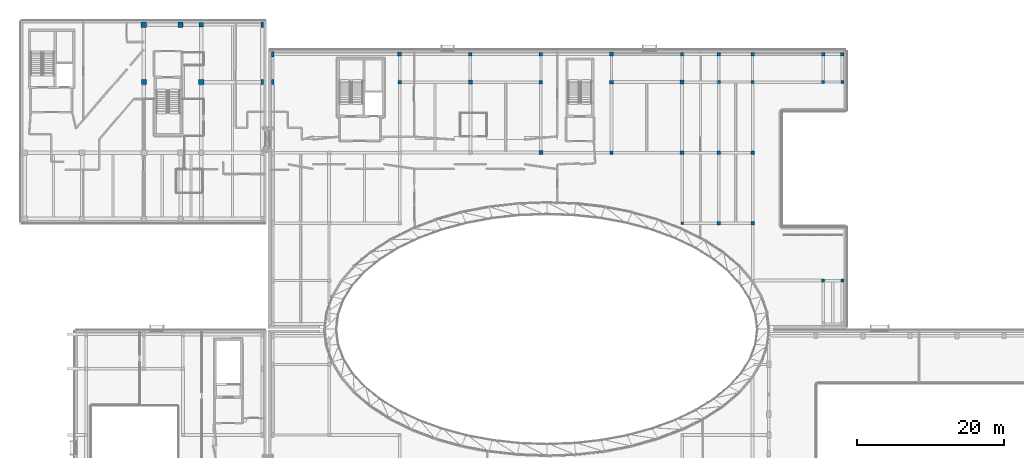
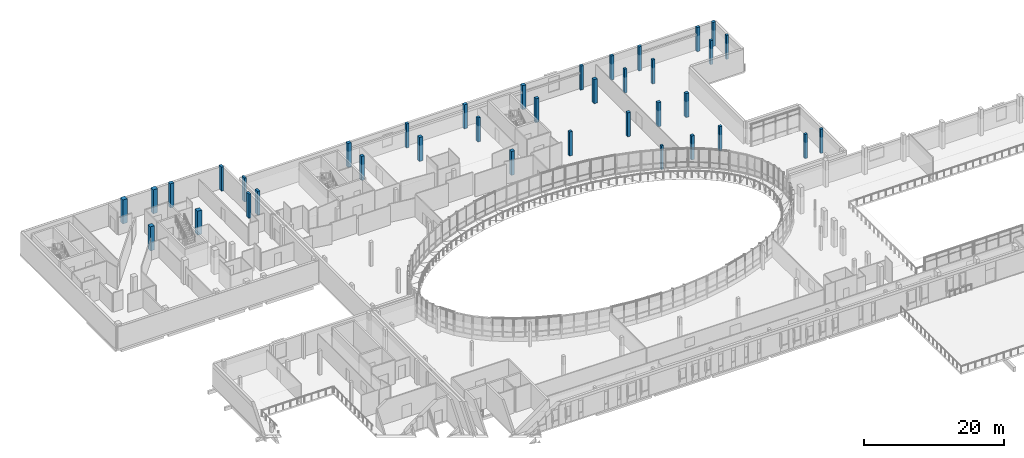
# One storey, part 7 of 73: 37 columns.
"""IFC4 building model written with IfcOpenShell, lengths in metres."""

from ifc_helpers import new_model, si_unit, direction, frame, origin, origin_2d, place, context, subcontext, project, spatial, rectangle, extrude, material, material_profile, profile_set, type_object, element, save


model = new_model("IFC4")

# Units and contexts
model_context = context("Model", 3, precision=1e-05, world=origin(), true_north=direction((0.0, 1.0)))
body_context = subcontext(model_context, "Body", "Model", "MODEL_VIEW")
ifc_project = project(units=[si_unit("LENGTHUNIT", "METRE"), si_unit("AREAUNIT", "SQUARE_METRE"), si_unit("VOLUMEUNIT", "CUBIC_METRE"), si_unit("PLANEANGLEUNIT", "RADIAN"), si_unit("MASSUNIT", "GRAM", prefix="KILO")], contexts=[model_context])

# Site, building, storey
site_placement = place(None, origin())
site = spatial("IfcSite", under=ifc_project, at=site_placement, CompositionType="ELEMENT")
building_placement = place(site_placement, origin())
building = spatial("IfcBuilding", under=site, at=building_placement, Name="Mzevani Central Library", CompositionType="ELEMENT")
storey_placement = place(building_placement, frame((0.0, 0.0, 9.60009765625)))
storey = spatial("IfcBuildingStorey", under=building, at=storey_placement, Name="L02", CompositionType="ELEMENT", Elevation=9.60009765625)

# Columns
ifc_material = material(Name="Concrete C40/50", Category="concrete")
ifc_material_profile_1 = material_profile(ifc_material, rectangle(XDim=0.35009765625, YDim=0.35009765625, at=origin_2d()), Name="RC 350x350")
ifc_profile_set_1 = profile_set([ifc_material_profile_1], Name="Concrete C40/50")
column_type_1 = type_object("IfcColumnType", Name="Column RC 350x350", PredefinedType="COLUMN", material=ifc_profile_set_1)
column_1_placement = place(storey_placement, frame((102.39990234375, 90.39990234375, 0.0), z_axis=(0.0, 0.0, 1.0), x_axis=(1.0, 0.0, 0.0)))
element("IfcColumn", 1, at=column_1_placement, inside=storey, type_object=column_type_1, Name="L02 V3 Column C-01 (126)", PredefinedType="COLUMN", context=body_context, shape_type="SweptSolid", body=[
    extrude(rectangle(XDim=0.35009765625, YDim=0.35009765625, at=origin_2d()), origin(), (0.0, 0.0, 1.0), 4.199951171875),
])
ifc_material_profile_2 = material_profile(ifc_material, rectangle(XDim=0.39990234375, YDim=0.39990234375, at=origin_2d()), Name="RC 400x400")
ifc_profile_set_2 = profile_set([ifc_material_profile_2], Name="Concrete C40/50")
column_type_2 = type_object("IfcColumnType", Name="Column RC 400x400", PredefinedType="COLUMN", material=ifc_profile_set_2)
for number, where, z_axis, x_axis, name in (
    (2, (107.39990234375, 109.60009765625, 0.0), (0.0, 0.0, 1.0), (1.0, 0.0, 0.0), "L02 V3 Column C-02 (132)"),
    (3, (112.0, 109.60009765625, 0.0), (0.0, 0.0, 1.0), (1.0, 0.0, 0.0), "L02 V3 Column C-02 (138)"),
    (4, (121.60009765625, 82.60009765625, 0.0), (0.0, 0.0, 1.0), (1.0, 0.0, 0.0), "L02 V3 Column C-02 (141)"),
    (5, (121.60009765625, 109.60009765625, 0.0), (0.0, 0.0, 1.0), (1.0, 0.0, 0.0), "L02 V3 Column C-02 (144)"),
    (6, (124.199951171875, 82.60009765625, 0.0), (0.0, 0.0, 1.0), (1.0, 0.0, 0.0), "L02 V3 Column C-02 (147)"),
    (7, (124.199951171875, 109.60009765625, 0.0), (0.0, 0.0, 1.0), (1.0, 0.0, 0.0), "L02 V3 Column C-02 (150)"),
):
    element("IfcColumn", number, at=place(storey_placement, frame(where, z_axis=z_axis, x_axis=x_axis)), inside=storey, type_object=column_type_2, Name=name, PredefinedType="COLUMN", context=body_context, shape_type="SweptSolid", body=[
        extrude(rectangle(XDim=0.39990234375, YDim=0.39990234375, at=origin_2d()), origin(), (0.0, 0.0, 1.0), 4.199951171875),
    ])
ifc_material_profile_3 = material_profile(ifc_material, rectangle(XDim=0.449951171875, YDim=0.449951171875, at=origin_2d()), Name="RC 450x450")
ifc_profile_set_3 = profile_set([ifc_material_profile_3], Name="Concrete C40/50")
column_type_3 = type_object("IfcColumnType", Name="Column RC 450x450", PredefinedType="COLUMN", material=ifc_profile_set_3)
for number, where, z_axis, x_axis, name in (
    (8, (73.60009765625, 113.39990234375, 0.0), (0.0, 0.0, 1.0), (1.0, 0.0, 0.0), "L02 V3 Column C-03 (117)"),
    (9, (83.199951171875, 109.60009765625, 0.0), (0.0, 0.0, 1.0), (1.0, 0.0, 0.0), "L02 V3 Column C-03 (120)"),
    (10, (92.800048828125, 100.0, 0.0), (0.0, 0.0, 1.0), (1.0, 0.0, 0.0), "L02 V3 Column C-03 (123)"),
    (11, (102.39990234375, 113.39990234375, 0.0), (0.0, 0.0, 1.0), (1.0, 0.0, 0.0), "L02 V3 Column C-03 (129)"),
    (12, (107.39990234375, 90.39990234375, 0.0), (0.0, 0.0, 1.0), (1.0, 0.0, 0.0), "L02 V3 Column C-03 (130)"),
    (13, (107.39990234375, 113.39990234375, 0.0), (0.0, 0.0, 1.0), (1.0, 0.0, 0.0), "L02 V3 Column C-03 (133)"),
    (14, (112.0, 90.39990234375, 0.0), (0.0, 0.0, 1.0), (1.0, 0.0, 0.0), "L02 V3 Column C-03 (136)"),
    (15, (112.0, 113.39990234375, 0.0), (0.0, 0.0, 1.0), (1.0, 0.0, 0.0), "L02 V3 Column C-03 (139)"),
    (16, (121.60009765625, 113.39990234375, 0.0), (0.0, 0.0, 1.0), (1.0, 0.0, 0.0), "L02 V3 Column C-03 (145)"),
    (17, (124.199951171875, 113.39990234375, 0.0), (0.0, 0.0, 1.0), (1.0, 0.0, 0.0), "L02 V3 Column C-03 (151)"),
):
    element("IfcColumn", number, at=place(storey_placement, frame(where, z_axis=z_axis, x_axis=x_axis)), inside=storey, type_object=column_type_3, Name=name, PredefinedType="COLUMN", context=body_context, shape_type="SweptSolid", body=[
        extrude(rectangle(XDim=0.449951171875, YDim=0.449951171875, at=origin_2d()), origin(), (0.0, 0.0, 1.0), 4.199951171875),
    ])
ifc_material_profile_4 = material_profile(ifc_material, rectangle(XDim=0.5, YDim=0.5, at=origin_2d()), Name="RC 500x500")
ifc_profile_set_4 = profile_set([ifc_material_profile_4], Name="Concrete C40/50")
column_type_4 = type_object("IfcColumnType", Name="Column RC 500x500", PredefinedType="COLUMN", material=ifc_profile_set_4)
for number, where, z_axis, x_axis, name in (
    (18, (64.0, 109.60009765625, 0.0), (0.0, 0.0, 1.0), (1.0, 0.0, 0.0), "L02 V3 Column C-04 (112)"),
    (19, (83.199951171875, 113.39990234375, 0.0), (0.0, 0.0, 1.0), (1.0, 0.0, 0.0), "L02 V3 Column C-04 (121)"),
    (20, (92.800048828125, 109.60009765625, 0.0), (0.0, 0.0, 1.0), (1.0, 0.0, 0.0), "L02 V3 Column C-04 (124)"),
    (21, (102.39990234375, 100.0, 0.0), (0.0, 0.0, 1.0), (1.0, 0.0, 0.0), "L02 V3 Column C-04 (127)"),
    (22, (107.39990234375, 100.0, 0.0), (0.0, 0.0, 1.0), (1.0, 0.0, 0.0), "L02 V3 Column C-04 (131)"),
    (23, (112.0, 100.0, 0.0), (0.0, 0.0, 1.0), (1.0, 0.0, 0.0), "L02 V3 Column C-04 (137)"),
):
    element("IfcColumn", number, at=place(storey_placement, frame(where, z_axis=z_axis, x_axis=x_axis)), inside=storey, type_object=column_type_4, Name=name, PredefinedType="COLUMN", context=body_context, shape_type="SweptSolid", body=[
        extrude(rectangle(XDim=0.5, YDim=0.5, at=origin_2d()), origin(), (0.0, 0.0, 1.0), 4.199951171875),
    ])
ifc_material_profile_5 = material_profile(ifc_material, rectangle(XDim=0.550048828125, YDim=0.550048828125, at=origin_2d()), Name="RC 550x550")
ifc_profile_set_5 = profile_set([ifc_material_profile_5], Name="Concrete C40/50")
column_type_5 = type_object("IfcColumnType", Name="Column RC 550x550", PredefinedType="COLUMN", material=ifc_profile_set_5)
for number, where, z_axis, x_axis, name in (
    (24, (64.0, 113.39990234375, 0.0), (0.0, 0.0, 1.0), (1.0, 0.0, 0.0), "L02 V3 Column C-05 (113)"),
    (25, (73.60009765625, 109.60009765625, 0.0), (0.0, 0.0, 1.0), (1.0, 0.0, 0.0), "L02 V3 Column C-05 (116)"),
    (26, (83.199951171875, 100.0, 0.0), (0.0, 0.0, 1.0), (1.0, 0.0, 0.0), "L02 V3 Column C-05 (119)"),
    (27, (92.800048828125, 113.39990234375, 0.0), (0.0, 0.0, 1.0), (1.0, 0.0, 0.0), "L02 V3 Column C-05 (125)"),
    (28, (102.39990234375, 109.60009765625, 0.0), (0.0, 0.0, 1.0), (1.0, 0.0, 0.0), "L02 V3 Column C-05 (128)"),
):
    element("IfcColumn", number, at=place(storey_placement, frame(where, z_axis=z_axis, x_axis=x_axis)), inside=storey, type_object=column_type_5, Name=name, PredefinedType="COLUMN", context=body_context, shape_type="SweptSolid", body=[
        extrude(rectangle(XDim=0.550048828125, YDim=0.550048828125, at=origin_2d()), origin(), (0.0, 0.0, 1.0), 4.199951171875),
    ])
ifc_material_profile_6 = material_profile(ifc_material, rectangle(XDim=0.60009765625, YDim=0.60009765625, at=origin_2d()), Name="RC 600x600")
ifc_profile_set_6 = profile_set([ifc_material_profile_6], Name="Concrete C40/50")
column_type_6 = type_object("IfcColumnType", Name="Column RC 600x600", PredefinedType="COLUMN", material=ifc_profile_set_6)
column_2_placement = place(storey_placement, frame((37.0, 117.39990234375, 0.0), z_axis=(0.0, 0.0, 1.0), x_axis=(1.0, 0.0, 0.0)))
element("IfcColumn", 29, at=column_2_placement, inside=storey, type_object=column_type_6, Name="L02 V2 Column C-06 (93)", PredefinedType="COLUMN", context=body_context, shape_type="SweptSolid", body=[
    extrude(rectangle(XDim=0.60009765625, YDim=0.60009765625, at=origin_2d()), origin(), (0.0, 0.0, 1.0), 4.199951171875),
])
ifc_material_profile_7 = material_profile(ifc_material, rectangle(XDim=0.699951171875, YDim=0.699951171875, at=origin_2d()), Name="RC 700x700")
ifc_profile_set_7 = profile_set([ifc_material_profile_7], Name="Concrete C40/50")
column_type_7 = type_object("IfcColumnType", Name="Column RC 700x700", PredefinedType="COLUMN", material=ifc_profile_set_7)
for number, where, z_axis, x_axis, name in (
    (30, (29.199951171875, 109.60009765625, 0.0), (0.0, 0.0, 1.0), (1.0, 0.0, 0.0), "L02 V2 Column C-08 (81)"),
    (31, (34.199951171875, 117.39990234375, 0.0), (0.0, 0.0, 1.0), (1.0, 0.0, 0.0), "L02 V2 Column C-08 (87)"),
    (32, (37.0, 109.60009765625, 0.0), (0.0, 0.0, 1.0), (1.0, 0.0, 0.0), "L02 V2 Column C-08 (92)"),
):
    element("IfcColumn", number, at=place(storey_placement, frame(where, z_axis=z_axis, x_axis=x_axis)), inside=storey, type_object=column_type_7, Name=name, PredefinedType="COLUMN", context=body_context, shape_type="SweptSolid", body=[
        extrude(rectangle(XDim=0.699951171875, YDim=0.699951171875, at=origin_2d()), origin(), (0.0, 0.0, 1.0), 4.199951171875),
    ])
ifc_material_profile_8 = material_profile(ifc_material, rectangle(XDim=0.75, YDim=0.75, at=origin_2d()), Name="RC 750x750")
ifc_profile_set_8 = profile_set([ifc_material_profile_8], Name="Concrete C40/50")
column_type_8 = type_object("IfcColumnType", Name="Column RC 750x750", PredefinedType="COLUMN", material=ifc_profile_set_8)
column_3_placement = place(storey_placement, frame((29.199951171875, 117.39990234375, 0.0), z_axis=(0.0, 0.0, 1.0), x_axis=(1.0, 0.0, 0.0)))
element("IfcColumn", 33, at=column_3_placement, inside=storey, type_object=column_type_8, Name="L02 V2 Column C-09 (82)", PredefinedType="COLUMN", context=body_context, shape_type="SweptSolid", body=[
    extrude(rectangle(XDim=0.75, YDim=0.75, at=origin_2d()), origin(), (0.0, 0.0, 1.0), 4.199951171875),
])
ifc_material_profile_9 = material_profile(ifc_material, rectangle(XDim=0.35009765625, YDim=0.699951171875, at=origin_2d()), Name="RC 350x700")
ifc_profile_set_9 = profile_set([ifc_material_profile_9], Name="Concrete C40/50")
column_type_9 = type_object("IfcColumnType", Name="Joint Twin Column RC 350x700", PredefinedType="COLUMN", material=ifc_profile_set_9)
for number, where, z_axis, x_axis, name in (
    (34, (45.300048828125, 109.60009765625, 0.0), (0.0, 0.0, 1.0), (1.0, 0.0, 0.0), "L02 V2 Column C-18 (98)"),
    (35, (45.300048828125, 117.39990234375, 0.0), (0.0, 0.0, 1.0), (1.0, 0.0, 0.0), "L02 V2 Column C-18 (99)"),
    (36, (46.75, 109.60009765625, 0.0), (0.0, 0.0, 1.0), (1.0, 0.0, 0.0), "L02 V3 Column C-18 (104)"),
    (37, (46.75, 113.39990234375, 0.0), (0.0, 0.0, 1.0), (1.0, 0.0, 0.0), "L02 V3 Column C-18 (105)"),
):
    element("IfcColumn", number, at=place(storey_placement, frame(where, z_axis=z_axis, x_axis=x_axis)), inside=storey, type_object=column_type_9, Name=name, PredefinedType="COLUMN", context=body_context, shape_type="SweptSolid", body=[
        extrude(rectangle(XDim=0.35009765625, YDim=0.699951171875, at=origin_2d()), origin(), (0.0, 0.0, 1.0), 4.199951171875),
    ])

save(model, "model.ifc")
